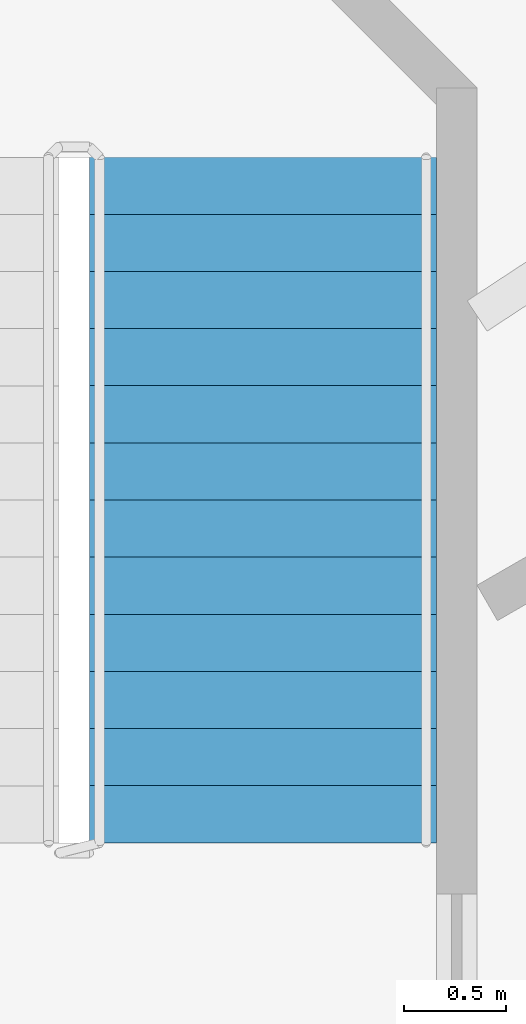
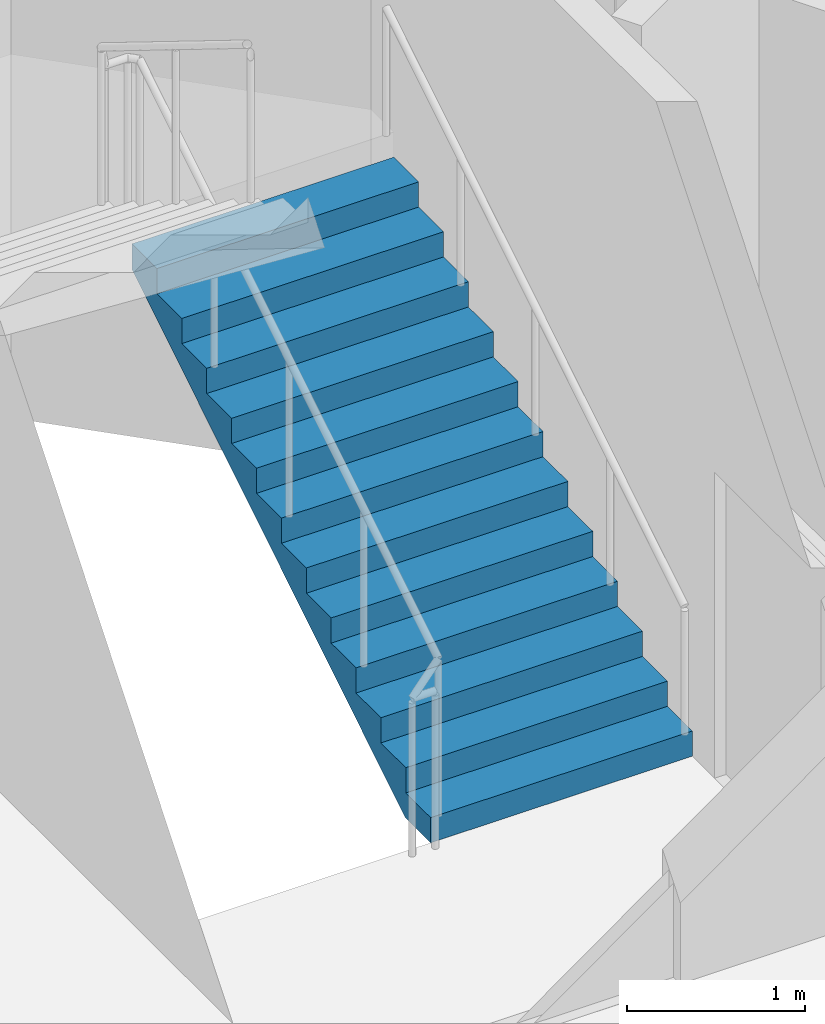
# One storey, part 6 of 7: 1 stair flight, 1 element without a shape of its own.
"""IFC4 building model written with IfcOpenShell, lengths in metres."""

from ifc_helpers import new_model, si_unit, direction, frame, origin, place, context, subcontext, project, spatial, polyline, outline, extrude, material, type_object, element, aggregate, save


model = new_model("IFC4")

# Units and contexts
model_context = context("Model", 3, precision=1e-05, world=origin(), true_north=direction((0.0, 1.0)))
body_context = subcontext(model_context, "Body", "Model", "MODEL_VIEW")
ifc_project = project(units=[si_unit("LENGTHUNIT", "METRE"), si_unit("AREAUNIT", "SQUARE_METRE"), si_unit("VOLUMEUNIT", "CUBIC_METRE"), si_unit("PLANEANGLEUNIT", "RADIAN"), si_unit("MASSUNIT", "GRAM", prefix="KILO")], contexts=[model_context])

# Site, building, storey
site_placement = place(None, origin())
site = spatial("IfcSite", under=ifc_project, at=site_placement, CompositionType="ELEMENT")
building_placement = place(site_placement, origin())
building = spatial("IfcBuilding", under=site, at=building_placement, Name="Noor Cloister Tower", CompositionType="ELEMENT")
storey_placement = place(building_placement, frame((0.0, 0.0, 297.60009765625)))
storey = spatial("IfcBuildingStorey", under=building, at=storey_placement, Name="L75", CompositionType="ELEMENT", Elevation=297.60009765625)

# Stair, stair flight
ifc_material_1 = material(Name="Concrete C40/50", Category="concrete")
stair_type = type_object("IfcStairType", Name="Exit stair 26 risers", PredefinedType="HALF_TURN_STAIR", material=ifc_material_1)
stair_placement = place(storey_placement, origin())
stair = element("IfcStair", 1, at=stair_placement, inside=storey, type_object=stair_type, Name="Exit stair ST1 L75", PredefinedType="HALF_TURN_STAIR")
ifc_material_2 = material(Name="Concrete C40/50", Category="concrete")
stair_flight_type = type_object("IfcStairFlightType", Name="Exit stair flight", PredefinedType="STRAIGHT", material=ifc_material_2)
stair_flight_placement = place(storey_placement, frame((4.28564453125, 13.3564453125, 0.0), z_axis=(0.0, 0.0, 1.0), x_axis=(0.0, 1.0, 0.0)))
stair_flight = element("IfcStairFlight", 2, at=stair_flight_placement, type_object=stair_flight_type, Name="ST1 flight 1", NumberOfRisers=13, NumberOfTreads=12, PredefinedType="STRAIGHT", RiserHeight=0.173076923, TreadLength=0.28, context=body_context, shape_type="SweptSolid", body=[
    extrude(outline(polyline([(0.0, 0.0), (0.0, 0.173095703125), (0.280029296875, 0.173095703125), (0.280029296875, 0.34619140625), (0.56005859375, 0.34619140625), (0.56005859375, 0.519287109375), (0.840087890625, 0.519287109375), (0.840087890625, 0.6923828125), (1.1201171875, 0.6923828125), (1.1201171875, 0.865478515625), (1.39990234375, 0.865478515625), (1.39990234375, 1.03857421875), (1.679931640625, 1.03857421875), (1.679931640625, 1.21142578125), (1.9599609375, 1.21142578125), (1.9599609375, 1.384521484375), (2.239990234375, 1.384521484375), (2.239990234375, 1.5576171875), (2.52001953125, 1.5576171875), (2.52001953125, 1.730712890625), (2.800048828125, 1.730712890625), (2.800048828125, 1.90380859375), (3.080078125, 1.90380859375), (3.080078125, 2.076904296875), (3.360107421875, 2.076904296875), (3.360107421875, 2.25), (3.360107421875, 1.900634765625), (0.28515625, 0.0), (0.0, 0.0)])), frame((0.0, 0.85009765625, 0.0), z_axis=(0.0, -1.0, 0.0), x_axis=(1.0, 0.0, 0.0)), (0.0, 0.0, 1.0), 1.699951171875),
])
aggregate(stair, [stair_flight])

save(model, "model.ifc")
